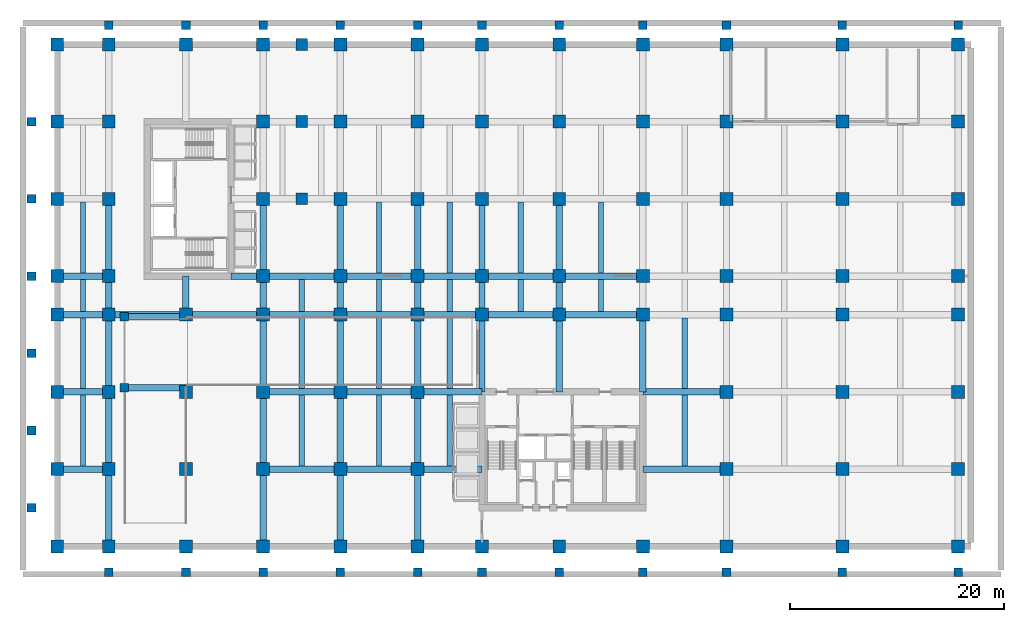
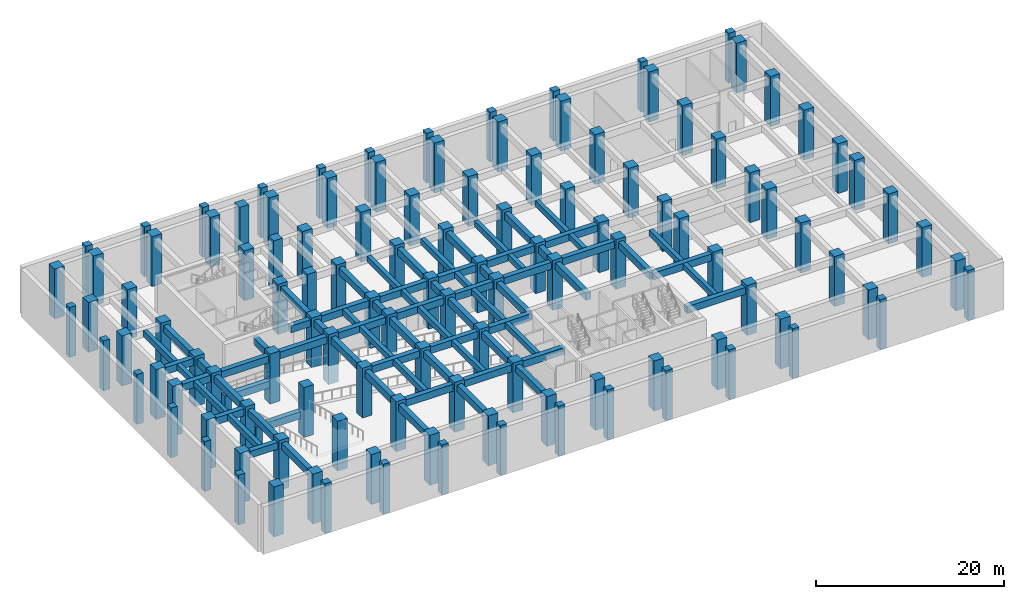
# One storey, part 1 of 13: 120 columns, 76 beams.
"""IFC4 building model written with IfcOpenShell, lengths in metres."""

from ifc_helpers import new_model, si_unit, derived_unit, direction, frame, origin, origin_2d, place, context, subcontext, project, spatial, rectangle, extrude, source, transform, mapped, material, material_profile, profile_set, type_object, type_shapes, element, save


model = new_model("IFC4")

# Units and contexts
model_context = context("Model", 3, precision=1e-05, world=origin(), true_north=direction((0.0, 1.0)))
body_context = subcontext(model_context, "Body", "Model", "MODEL_VIEW")
ifc_project = project(units=[si_unit("LENGTHUNIT", "METRE"), si_unit("AREAUNIT", "SQUARE_METRE"), si_unit("VOLUMEUNIT", "CUBIC_METRE"), si_unit("PLANEANGLEUNIT", "RADIAN"), si_unit("MASSUNIT", "GRAM", prefix="KILO"), si_unit("THERMODYNAMICTEMPERATUREUNIT", "KELVIN"), si_unit("POWERUNIT", "WATT"), derived_unit("THERMALTRANSMITTANCEUNIT", [(si_unit("POWERUNIT", "WATT"), 1), (si_unit("AREAUNIT", "SQUARE_METRE"), -1), (si_unit("THERMODYNAMICTEMPERATUREUNIT", "KELVIN"), -1)])], contexts=[model_context])

# Site, building, storey
site_placement = place(None, origin())
site = spatial("IfcSite", under=ifc_project, at=site_placement, CompositionType="ELEMENT")
building_placement = place(site_placement, origin())
building = spatial("IfcBuilding", under=site, at=building_placement, Name="Zahravan Archway Hotel and Residences", CompositionType="ELEMENT")
storey_placement = place(building_placement, frame((0.0, 0.0, -6.5)))
storey = spatial("IfcBuildingStorey", under=building, at=storey_placement, Name="B01", CompositionType="ELEMENT", Elevation=-6.5)

# Columns
ifc_material_1 = material(Name="Concrete C70/85", Category="concrete")
ifc_material_profile_1 = material_profile(ifc_material_1, rectangle(XDim=1.199951171875, YDim=1.199951171875, at=origin_2d()), Name="RC-COL-1200x1200", Category="concrete")
ifc_profile_set_1 = profile_set([ifc_material_profile_1], Name="Concrete C70/85")
column_type_1 = type_object("IfcColumnType", Name="COL-RC-1200", PredefinedType="COLUMN", material=ifc_profile_set_1)
shared_shape_1 = source(origin(), body_context, "Body", "SweptSolid", [
    extrude(rectangle(XDim=1.199951171875, YDim=1.199951171875, at=origin_2d()), origin(), (0.0, 0.0, 1.0), 6.5),
])
for number, where, z_axis, x_axis, name in (
    (1, (-4.800048828125, 0.0, 0.0), (0.0, 0.0, 1.0), (1.0, 0.0, 0.0), "B01 Column 0-A"),
    (2, (-4.800048828125, 7.199951171875, 0.0), (0.0, 0.0, 1.0), (1.0, 0.0, 0.0), "B01 Column 0-B"),
    (3, (-4.800048828125, 14.39990234375, 0.0), (0.0, 0.0, 1.0), (1.0, 0.0, 0.0), "B01 Column 0-C"),
    (4, (-4.800048828125, 21.60009765625, 0.0), (0.0, 0.0, 1.0), (1.0, 0.0, 0.0), "B01 Column 0-D"),
    (5, (-4.800048828125, 25.199951171875, 0.0), (0.0, 0.0, 1.0), (1.0, 0.0, 0.0), "B01 Column 0-E"),
    (6, (-4.800048828125, 32.39990234375, 0.0), (0.0, 0.0, 1.0), (1.0, 0.0, 0.0), "B01 Column 0-F"),
    (7, (-4.800048828125, 39.60009765625, 0.0), (0.0, 0.0, 1.0), (1.0, 0.0, 0.0), "B01 Column 0-G"),
    (8, (-4.800048828125, 46.800048828125, 0.0), (0.0, 0.0, 1.0), (1.0, 0.0, 0.0), "B01 Column 0-H"),
    (9, (0.0, 0.0, 0.0), (0.0, 0.0, 1.0), (1.0, 0.0, 0.0), "B01 Column 1-A"),
    (10, (0.0, 7.199951171875, 0.0), (0.0, 0.0, 1.0), (1.0, 0.0, 0.0), "B01 Column 1-B"),
    (11, (0.0, 14.39990234375, 0.0), (0.0, 0.0, 1.0), (1.0, 0.0, 0.0), "B01 Column 1-C"),
    (12, (0.0, 21.60009765625, 0.0), (0.0, 0.0, 1.0), (1.0, 0.0, 0.0), "B01 Column 1-D"),
    (13, (0.0, 25.199951171875, 0.0), (0.0, 0.0, 1.0), (1.0, 0.0, 0.0), "B01 Column 1-E"),
    (14, (0.0, 32.39990234375, 0.0), (0.0, 0.0, 1.0), (1.0, 0.0, 0.0), "B01 Column 1-F"),
    (15, (0.0, 39.60009765625, 0.0), (0.0, 0.0, 1.0), (1.0, 0.0, 0.0), "B01 Column 1-G"),
    (16, (0.0, 46.800048828125, 0.0), (0.0, 0.0, 1.0), (1.0, 0.0, 0.0), "B01 Column 1-H"),
    (17, (7.199951171875, 0.0, 0.0), (0.0, 0.0, 1.0), (1.0, 0.0, 0.0), "B01 Column 2-A"),
    (18, (7.199951171875, 7.199951171875, 0.0), (0.0, 0.0, 1.0), (1.0, 0.0, 0.0), "B01 Column 2-B"),
    (19, (7.199951171875, 14.39990234375, 0.0), (0.0, 0.0, 1.0), (1.0, 0.0, 0.0), "B01 Column 2-C"),
    (20, (7.199951171875, 21.60009765625, 0.0), (0.0, 0.0, 1.0), (1.0, 0.0, 0.0), "B01 Column 2-D"),
    (21, (7.199951171875, 46.800048828125, 0.0), (0.0, 0.0, 1.0), (1.0, 0.0, 0.0), "B01 Column 2-H"),
    (22, (14.39990234375, 0.0, 0.0), (0.0, 0.0, 1.0), (1.0, 0.0, 0.0), "B01 Column 3-A"),
    (23, (14.39990234375, 7.199951171875, 0.0), (0.0, 0.0, 1.0), (1.0, 0.0, 0.0), "B01 Column 3-B"),
    (24, (14.39990234375, 14.39990234375, 0.0), (0.0, 0.0, 1.0), (1.0, 0.0, 0.0), "B01 Column 3-C"),
    (25, (14.39990234375, 21.60009765625, 0.0), (0.0, 0.0, 1.0), (1.0, 0.0, 0.0), "B01 Column 3-D"),
    (26, (14.39990234375, 25.199951171875, 0.0), (0.0, 0.0, 1.0), (1.0, 0.0, 0.0), "B01 Column 3-E"),
    (27, (14.39990234375, 32.39990234375, 0.0), (0.0, 0.0, 1.0), (1.0, 0.0, 0.0), "B01 Column 3-F"),
    (28, (14.39990234375, 39.60009765625, 0.0), (0.0, 0.0, 1.0), (1.0, 0.0, 0.0), "B01 Column 3-G"),
    (29, (14.39990234375, 46.800048828125, 0.0), (0.0, 0.0, 1.0), (1.0, 0.0, 0.0), "B01 Column 3-H"),
    (30, (21.60009765625, 0.0, 0.0), (0.0, 0.0, 1.0), (1.0, 0.0, 0.0), "B01 Column 4-A"),
    (31, (21.60009765625, 7.199951171875, 0.0), (0.0, 0.0, 1.0), (1.0, 0.0, 0.0), "B01 Column 4-B"),
    (32, (21.60009765625, 14.39990234375, 0.0), (0.0, 0.0, 1.0), (1.0, 0.0, 0.0), "B01 Column 4-C"),
    (33, (21.60009765625, 21.60009765625, 0.0), (0.0, 0.0, 1.0), (1.0, 0.0, 0.0), "B01 Column 4-D"),
    (34, (21.60009765625, 25.199951171875, 0.0), (0.0, 0.0, 1.0), (1.0, 0.0, 0.0), "B01 Column 4-E"),
    (35, (21.60009765625, 32.39990234375, 0.0), (0.0, 0.0, 1.0), (1.0, 0.0, 0.0), "B01 Column 4-F"),
    (36, (21.60009765625, 39.60009765625, 0.0), (0.0, 0.0, 1.0), (1.0, 0.0, 0.0), "B01 Column 4-G"),
    (37, (21.60009765625, 46.800048828125, 0.0), (0.0, 0.0, 1.0), (1.0, 0.0, 0.0), "B01 Column 4-H"),
    (38, (28.800048828125, 0.0, 0.0), (0.0, 0.0, 1.0), (1.0, 0.0, 0.0), "B01 Column 5-A"),
    (39, (28.800048828125, 7.199951171875, 0.0), (0.0, 0.0, 1.0), (1.0, 0.0, 0.0), "B01 Column 5-B"),
    (40, (28.800048828125, 14.39990234375, 0.0), (0.0, 0.0, 1.0), (1.0, 0.0, 0.0), "B01 Column 5-C"),
    (41, (28.800048828125, 21.60009765625, 0.0), (0.0, 0.0, 1.0), (1.0, 0.0, 0.0), "B01 Column 5-D"),
    (42, (28.800048828125, 25.199951171875, 0.0), (0.0, 0.0, 1.0), (1.0, 0.0, 0.0), "B01 Column 5-E"),
    (43, (28.800048828125, 32.39990234375, 0.0), (0.0, 0.0, 1.0), (1.0, 0.0, 0.0), "B01 Column 5-F"),
    (44, (28.800048828125, 39.60009765625, 0.0), (0.0, 0.0, 1.0), (1.0, 0.0, 0.0), "B01 Column 5-G"),
    (45, (28.800048828125, 46.800048828125, 0.0), (0.0, 0.0, 1.0), (1.0, 0.0, 0.0), "B01 Column 5-H"),
    (46, (34.800048828125, 0.0, 0.0), (0.0, 0.0, 1.0), (1.0, 0.0, 0.0), "B01 Column 6-A"),
    (47, (34.800048828125, 21.60009765625, 0.0), (0.0, 0.0, 1.0), (1.0, 0.0, 0.0), "B01 Column 6-D"),
    (48, (34.800048828125, 25.199951171875, 0.0), (0.0, 0.0, 1.0), (1.0, 0.0, 0.0), "B01 Column 6-E"),
    (49, (34.800048828125, 32.39990234375, 0.0), (0.0, 0.0, 1.0), (1.0, 0.0, 0.0), "B01 Column 6-F"),
    (50, (34.800048828125, 39.60009765625, 0.0), (0.0, 0.0, 1.0), (1.0, 0.0, 0.0), "B01 Column 6-G"),
    (51, (34.800048828125, 46.800048828125, 0.0), (0.0, 0.0, 1.0), (1.0, 0.0, 0.0), "B01 Column 6-H"),
    (52, (42.0, 0.0, 0.0), (0.0, 0.0, 1.0), (1.0, 0.0, 0.0), "B01 Column 7-A"),
    (53, (42.0, 21.60009765625, 0.0), (0.0, 0.0, 1.0), (1.0, 0.0, 0.0), "B01 Column 7-D"),
    (54, (42.0, 25.199951171875, 0.0), (0.0, 0.0, 1.0), (1.0, 0.0, 0.0), "B01 Column 7-E"),
    (55, (42.0, 32.39990234375, 0.0), (0.0, 0.0, 1.0), (1.0, 0.0, 0.0), "B01 Column 7-F"),
    (56, (42.0, 39.60009765625, 0.0), (0.0, 0.0, 1.0), (1.0, 0.0, 0.0), "B01 Column 7-G"),
    (57, (42.0, 46.800048828125, 0.0), (0.0, 0.0, 1.0), (1.0, 0.0, 0.0), "B01 Column 7-H"),
    (58, (49.800048828125, 0.0, 0.0), (0.0, 0.0, 1.0), (1.0, 0.0, 0.0), "B01 Column 8-A"),
    (59, (49.800048828125, 21.60009765625, 0.0), (0.0, 0.0, 1.0), (1.0, 0.0, 0.0), "B01 Column 8-D"),
    (60, (49.800048828125, 25.199951171875, 0.0), (0.0, 0.0, 1.0), (1.0, 0.0, 0.0), "B01 Column 8-E"),
    (61, (49.800048828125, 32.39990234375, 0.0), (0.0, 0.0, 1.0), (1.0, 0.0, 0.0), "B01 Column 8-F"),
    (62, (49.800048828125, 39.60009765625, 0.0), (0.0, 0.0, 1.0), (1.0, 0.0, 0.0), "B01 Column 8-G"),
    (63, (49.800048828125, 46.800048828125, 0.0), (0.0, 0.0, 1.0), (1.0, 0.0, 0.0), "B01 Column 8-H"),
    (64, (57.60009765625, 0.0, 0.0), (0.0, 0.0, 1.0), (1.0, 0.0, 0.0), "B01 Column 9-A"),
    (65, (57.60009765625, 7.199951171875, 0.0), (0.0, 0.0, 1.0), (1.0, 0.0, 0.0), "B01 Column 9-B"),
    (66, (57.60009765625, 14.39990234375, 0.0), (0.0, 0.0, 1.0), (1.0, 0.0, 0.0), "B01 Column 9-C"),
    (67, (57.60009765625, 21.60009765625, 0.0), (0.0, 0.0, 1.0), (1.0, 0.0, 0.0), "B01 Column 9-D"),
    (68, (57.60009765625, 25.199951171875, 0.0), (0.0, 0.0, 1.0), (1.0, 0.0, 0.0), "B01 Column 9-E"),
    (69, (57.60009765625, 32.39990234375, 0.0), (0.0, 0.0, 1.0), (1.0, 0.0, 0.0), "B01 Column 9-F"),
    (70, (57.60009765625, 39.60009765625, 0.0), (0.0, 0.0, 1.0), (1.0, 0.0, 0.0), "B01 Column 9-G"),
    (71, (57.60009765625, 46.800048828125, 0.0), (0.0, 0.0, 1.0), (1.0, 0.0, 0.0), "B01 Column 9-H"),
    (72, (68.39990234375, 0.0, 0.0), (0.0, 0.0, 1.0), (1.0, 0.0, 0.0), "B01 Column 10-A"),
    (73, (68.39990234375, 7.199951171875, 0.0), (0.0, 0.0, 1.0), (1.0, 0.0, 0.0), "B01 Column 10-B"),
    (74, (68.39990234375, 14.39990234375, 0.0), (0.0, 0.0, 1.0), (1.0, 0.0, 0.0), "B01 Column 10-C"),
    (75, (68.39990234375, 21.60009765625, 0.0), (0.0, 0.0, 1.0), (1.0, 0.0, 0.0), "B01 Column 10-D"),
    (76, (68.39990234375, 25.199951171875, 0.0), (0.0, 0.0, 1.0), (1.0, 0.0, 0.0), "B01 Column 10-E"),
    (77, (68.39990234375, 32.39990234375, 0.0), (0.0, 0.0, 1.0), (1.0, 0.0, 0.0), "B01 Column 10-F"),
    (78, (68.39990234375, 39.60009765625, 0.0), (0.0, 0.0, 1.0), (1.0, 0.0, 0.0), "B01 Column 10-G"),
    (79, (68.39990234375, 46.800048828125, 0.0), (0.0, 0.0, 1.0), (1.0, 0.0, 0.0), "B01 Column 10-H"),
    (80, (79.199951171875, 0.0, 0.0), (0.0, 0.0, 1.0), (1.0, 0.0, 0.0), "B01 Column 11-A"),
    (81, (79.199951171875, 7.199951171875, 0.0), (0.0, 0.0, 1.0), (1.0, 0.0, 0.0), "B01 Column 11-B"),
    (82, (79.199951171875, 14.39990234375, 0.0), (0.0, 0.0, 1.0), (1.0, 0.0, 0.0), "B01 Column 11-C"),
    (83, (79.199951171875, 21.60009765625, 0.0), (0.0, 0.0, 1.0), (1.0, 0.0, 0.0), "B01 Column 11-D"),
    (84, (79.199951171875, 25.199951171875, 0.0), (0.0, 0.0, 1.0), (1.0, 0.0, 0.0), "B01 Column 11-E"),
    (85, (79.199951171875, 32.39990234375, 0.0), (0.0, 0.0, 1.0), (1.0, 0.0, 0.0), "B01 Column 11-F"),
    (86, (79.199951171875, 39.60009765625, 0.0), (0.0, 0.0, 1.0), (1.0, 0.0, 0.0), "B01 Column 11-G"),
    (87, (79.199951171875, 46.800048828125, 0.0), (0.0, 0.0, 1.0), (1.0, 0.0, 0.0), "B01 Column 11-H"),
):
    element("IfcColumn", number, at=place(storey_placement, frame(where, z_axis=z_axis, x_axis=x_axis)), inside=storey, type_object=column_type_1, Name=name, PredefinedType="COLUMN", context=body_context, shape_type="MappedRepresentation", body=[
        mapped(shared_shape_1, transform((0.0, 0.0, 0.0), scale=1.0)),
    ])
ifc_material_2 = material(Name="Concrete C50/60", Category="concrete")
ifc_material_profile_2 = material_profile(ifc_material_2, rectangle(XDim=0.800048828125, YDim=0.800048828125, at=origin_2d()), Name="RC-COL-800x800", Category="concrete")
ifc_profile_set_2 = profile_set([ifc_material_profile_2], Name="Concrete C50/60")
column_type_2 = type_object("IfcColumnType", Name="COL-RC-800", PredefinedType="COLUMN", material=ifc_profile_set_2)
shared_shape_2 = source(origin(), body_context, "Body", "SweptSolid", [
    extrude(rectangle(XDim=0.800048828125, YDim=0.800048828125, at=origin_2d()), origin(), (0.0, 0.0, 1.0), 6.5),
])
for number, where, z_axis, x_axis, name in (
    (88, (-7.199951171875, 3.60009765625, 0.0), (0.0, 0.0, 1.0), (1.0, 0.0, 0.0), "B01 Column WCOL-1"),
    (89, (-7.199951171875, 10.800048828125, 0.0), (0.0, 0.0, 1.0), (1.0, 0.0, 0.0), "B01 Column WCOL-2"),
    (90, (-7.199951171875, 18.0, 0.0), (0.0, 0.0, 1.0), (1.0, 0.0, 0.0), "B01 Column WCOL-3"),
    (91, (-7.199951171875, 25.199951171875, 0.0), (0.0, 0.0, 1.0), (1.0, 0.0, 0.0), "B01 Column WCOL-4"),
    (92, (-7.199951171875, 32.39990234375, 0.0), (0.0, 0.0, 1.0), (1.0, 0.0, 0.0), "B01 Column WCOL-5"),
    (93, (-7.199951171875, 39.60009765625, 0.0), (0.0, 0.0, 1.0), (1.0, 0.0, 0.0), "B01 Column WCOL-6"),
    (94, (0.0, -2.39990234375, 0.0), (0.0, 0.0, 1.0), (1.0, 0.0, 0.0), "B01 Column SCOL-1"),
    (95, (0.0, 48.60009765625, 0.0), (0.0, 0.0, 1.0), (1.0, 0.0, 0.0), "B01 Column NCOL-1"),
    (96, (7.199951171875, -2.39990234375, 0.0), (0.0, 0.0, 1.0), (1.0, 0.0, 0.0), "B01 Column SCOL-2"),
    (97, (7.199951171875, 48.60009765625, 0.0), (0.0, 0.0, 1.0), (1.0, 0.0, 0.0), "B01 Column NCOL-2"),
    (98, (14.39990234375, -2.39990234375, 0.0), (0.0, 0.0, 1.0), (1.0, 0.0, 0.0), "B01 Column SCOL-3"),
    (99, (14.39990234375, 48.60009765625, 0.0), (0.0, 0.0, 1.0), (1.0, 0.0, 0.0), "B01 Column NCOL-3"),
    (100, (21.60009765625, -2.39990234375, 0.0), (0.0, 0.0, 1.0), (1.0, 0.0, 0.0), "B01 Column SCOL-4"),
    (101, (21.60009765625, 48.60009765625, 0.0), (0.0, 0.0, 1.0), (1.0, 0.0, 0.0), "B01 Column NCOL-4"),
    (102, (28.800048828125, -2.39990234375, 0.0), (0.0, 0.0, 1.0), (1.0, 0.0, 0.0), "B01 Column SCOL-5"),
    (103, (28.800048828125, 48.60009765625, 0.0), (0.0, 0.0, 1.0), (1.0, 0.0, 0.0), "B01 Column NCOL-5"),
    (104, (34.800048828125, -2.39990234375, 0.0), (0.0, 0.0, 1.0), (1.0, 0.0, 0.0), "B01 Column SCOL-6"),
    (105, (34.800048828125, 48.60009765625, 0.0), (0.0, 0.0, 1.0), (1.0, 0.0, 0.0), "B01 Column NCOL-6"),
    (106, (42.0, -2.39990234375, 0.0), (0.0, 0.0, 1.0), (1.0, 0.0, 0.0), "B01 Column SCOL-7"),
    (107, (42.0, 48.60009765625, 0.0), (0.0, 0.0, 1.0), (1.0, 0.0, 0.0), "B01 Column NCOL-7"),
    (108, (49.800048828125, -2.39990234375, 0.0), (0.0, 0.0, 1.0), (1.0, 0.0, 0.0), "B01 Column SCOL-8"),
    (109, (49.800048828125, 48.60009765625, 0.0), (0.0, 0.0, 1.0), (1.0, 0.0, 0.0), "B01 Column NCOL-8"),
    (110, (57.60009765625, -2.39990234375, 0.0), (0.0, 0.0, 1.0), (1.0, 0.0, 0.0), "B01 Column SCOL-9"),
    (111, (57.60009765625, 48.60009765625, 0.0), (0.0, 0.0, 1.0), (1.0, 0.0, 0.0), "B01 Column NCOL-9"),
    (112, (68.39990234375, -2.39990234375, 0.0), (0.0, 0.0, 1.0), (1.0, 0.0, 0.0), "B01 Column SCOL-10"),
    (113, (68.39990234375, 48.60009765625, 0.0), (0.0, 0.0, 1.0), (1.0, 0.0, 0.0), "B01 Column NCOL-10"),
    (114, (79.199951171875, -2.39990234375, 0.0), (0.0, 0.0, 1.0), (1.0, 0.0, 0.0), "B01 Column SCOL-11"),
    (115, (79.199951171875, 48.60009765625, 0.0), (0.0, 0.0, 1.0), (1.0, 0.0, 0.0), "B01 Column NCOL-11"),
):
    element("IfcColumn", number, at=place(storey_placement, frame(where, z_axis=z_axis, x_axis=x_axis)), inside=storey, type_object=column_type_2, Name=name, PredefinedType="COLUMN", context=body_context, shape_type="MappedRepresentation", body=[
        mapped(shared_shape_2, transform((0.0, 0.0, 0.0), scale=1.0)),
    ])
ifc_material_profile_3 = material_profile(ifc_material_1, rectangle(XDim=1.10009765625, YDim=1.10009765625, at=origin_2d()), Name="RC 1100x1100", Category="concrete")
ifc_profile_set_3 = profile_set([ifc_material_profile_3], Name="Concrete C70/85")
column_type_3 = type_object("IfcColumnType", Name="COL-RC-1100", PredefinedType="COLUMN", material=ifc_profile_set_3)
shared_shape_3 = source(origin(), body_context, "Body", "SweptSolid", [
    extrude(rectangle(XDim=1.10009765625, YDim=1.10009765625, at=origin_2d()), origin(), (0.0, 0.0, 1.0), 6.5),
])
for number, where, z_axis, x_axis, name in (
    (116, (18.0, 32.39990234375, 0.0), (0.0, 0.0, 1.0), (1.0, 0.0, 0.0), "B01 Column 3B-F"),
    (117, (18.0, 39.60009765625, 0.0), (0.0, 0.0, 1.0), (1.0, 0.0, 0.0), "B01 Column 3B-G"),
    (118, (18.0, 46.800048828125, 0.0), (0.0, 0.0, 1.0), (1.0, 0.0, 0.0), "B01 Column 3B-H"),
):
    element("IfcColumn", number, at=place(storey_placement, frame(where, z_axis=z_axis, x_axis=x_axis)), inside=storey, type_object=column_type_3, Name=name, PredefinedType="COLUMN", context=body_context, shape_type="MappedRepresentation", body=[
        mapped(shared_shape_3, transform((0.0, 0.0, 0.0), scale=1.0)),
    ])
shared_shape_4 = source(origin(), body_context, "Body", "SweptSolid", [
    extrude(rectangle(XDim=0.800048828125, YDim=0.800048828125, at=origin_2d()), origin(), (0.0, 0.0, 1.0), 2.949951171875),
])
for number, where, z_axis, x_axis, name in (
    (119, (1.449951171875, 14.800048828125, 0.0), (0.0, 0.0, 1.0), (1.0, 0.0, 0.0), "B01 Vehicle Ramp Half-Landing Column 1"),
    (120, (1.449951171875, 21.39990234375, 0.0), (0.0, 0.0, 1.0), (1.0, 0.0, 0.0), "B01 Vehicle Ramp Half-Landing Column 2"),
):
    element("IfcColumn", number, at=place(storey_placement, frame(where, z_axis=z_axis, x_axis=x_axis)), inside=storey, type_object=column_type_2, Name=name, PredefinedType="COLUMN", context=body_context, shape_type="MappedRepresentation", body=[
        mapped(shared_shape_4, transform((0.0, 0.0, 0.0), scale=1.0)),
    ])

# Beams
ifc_material_profile_4 = material_profile(ifc_material_2, rectangle(XDim=0.60009765625, YDim=0.89990234375, at=origin_2d()), Name="RC-BM-600x900", Category="concrete")
ifc_profile_set_4 = profile_set([ifc_material_profile_4], Name="Concrete C50/60")
beam_type_1 = type_object("IfcBeamType", Name="BM-RC-600x900", PredefinedType="BEAM", material=ifc_profile_set_4)
shared_shape_5 = source(origin(), body_context, "Body", "SweptSolid", [
    extrude(rectangle(XDim=0.60009765625, YDim=0.89990234375, at=origin_2d()), origin(), (0.0, 0.0, 1.0), 4.800048828125),
])
type_shapes(beam_type_1, [shared_shape_5])
for number, where, z_axis, x_axis, name in (
    (121, (-4.800048828125, 7.199951171875, 5.64990234375), (1.0, 0.0, 0.0), (0.0, 1.0, 0.0), "B01 Primary Girder EW-01"),
    (122, (-4.800048828125, 14.39990234375, 5.64990234375), (1.0, 0.0, 0.0), (0.0, 1.0, 0.0), "B01 Primary Girder EW-08"),
    (123, (-4.800048828125, 21.60009765625, 5.64990234375), (1.0, 0.0, 0.0), (0.0, 1.0, 0.0), "B01 Primary Girder EW-15"),
    (124, (-4.800048828125, 25.199951171875, 5.64990234375), (1.0, 0.0, 0.0), (0.0, 1.0, 0.0), "B01 Primary Girder EW-26"),
):
    element("IfcBeam", number, at=place(storey_placement, frame(where, z_axis=z_axis, x_axis=x_axis)), inside=storey, type_object=beam_type_1, Name=name, PredefinedType="BEAM", context=body_context, shape_type="MappedRepresentation", body=[
        mapped(shared_shape_5, transform((0.0, 0.0, 0.0), scale=1.0)),
    ])
shared_shape_6 = source(origin(), body_context, "Body", "SweptSolid", [
    extrude(rectangle(XDim=0.60009765625, YDim=0.89990234375, at=origin_2d()), origin(), (0.0, 0.0, 1.0), 7.199951171875),
])
for number, where, z_axis, x_axis, name in (
    (125, (21.60009765625, 7.199951171875, 5.64990234375), (1.0, 0.0, 0.0), (0.0, 1.0, 0.0), "B01 Primary Girder EW-03"),
    (126, (21.60009765625, 14.39990234375, 5.64990234375), (1.0, 0.0, 0.0), (0.0, 1.0, 0.0), "B01 Primary Girder EW-10"),
    (127, (0.0, 21.60009765625, 5.64990234375), (1.0, 0.0, 0.0), (0.0, 1.0, 0.0), "B01 Primary Girder EW-16"),
    (128, (7.199951171875, 21.60009765625, 5.64990234375), (1.0, 0.0, 0.0), (0.0, 1.0, 0.0), "B01 Primary Girder EW-17"),
    (129, (21.60009765625, 21.60009765625, 5.64990234375), (1.0, 0.0, 0.0), (0.0, 1.0, 0.0), "B01 Primary Girder EW-19"),
    (130, (34.800048828125, 21.60009765625, 5.64990234375), (1.0, 0.0, 0.0), (0.0, 1.0, 0.0), "B01 Primary Girder EW-21"),
    (131, (21.60009765625, 25.199951171875, 5.64990234375), (1.0, 0.0, 0.0), (0.0, 1.0, 0.0), "B01 Primary Girder EW-29"),
    (132, (34.800048828125, 25.199951171875, 5.64990234375), (1.0, 0.0, 0.0), (0.0, 1.0, 0.0), "B01 Primary Girder EW-31"),
    (133, (0.0, 0.0, 5.64990234375), (0.0, 1.0, 0.0), (-1.0, 0.0, 0.0), "B01 Primary Girder NS-58"),
    (134, (0.0, 7.199951171875, 5.64990234375), (0.0, 1.0, 0.0), (-1.0, 0.0, 0.0), "B01 Primary Girder NS-59"),
    (135, (0.0, 25.199951171875, 5.64990234375), (0.0, 1.0, 0.0), (-1.0, 0.0, 0.0), "B01 Primary Girder NS-62"),
    (136, (14.39990234375, 0.0, 5.64990234375), (0.0, 1.0, 0.0), (-1.0, 0.0, 0.0), "B01 Primary Girder NS-67"),
    (137, (14.39990234375, 7.199951171875, 5.64990234375), (0.0, 1.0, 0.0), (-1.0, 0.0, 0.0), "B01 Primary Girder NS-68"),
    (138, (14.39990234375, 25.199951171875, 5.64990234375), (0.0, 1.0, 0.0), (-1.0, 0.0, 0.0), "B01 Primary Girder NS-71"),
    (139, (21.60009765625, 0.0, 5.64990234375), (0.0, 1.0, 0.0), (-1.0, 0.0, 0.0), "B01 Primary Girder NS-74"),
    (140, (21.60009765625, 7.199951171875, 5.64990234375), (0.0, 1.0, 0.0), (-1.0, 0.0, 0.0), "B01 Primary Girder NS-75"),
    (141, (21.60009765625, 25.199951171875, 5.64990234375), (0.0, 1.0, 0.0), (-1.0, 0.0, 0.0), "B01 Primary Girder NS-78"),
    (142, (28.800048828125, 0.0, 5.64990234375), (0.0, 1.0, 0.0), (-1.0, 0.0, 0.0), "B01 Primary Girder NS-81"),
    (143, (28.800048828125, 7.199951171875, 5.64990234375), (0.0, 1.0, 0.0), (-1.0, 0.0, 0.0), "B01 Primary Girder NS-82"),
    (144, (28.800048828125, 25.199951171875, 5.64990234375), (0.0, 1.0, 0.0), (-1.0, 0.0, 0.0), "B01 Primary Girder NS-85"),
    (145, (34.800048828125, 25.199951171875, 5.64990234375), (0.0, 1.0, 0.0), (-1.0, 0.0, 0.0), "B01 Primary Girder NS-90"),
    (146, (42.0, 25.199951171875, 5.64990234375), (0.0, 1.0, 0.0), (-1.0, 0.0, 0.0), "B01 Primary Girder NS-95"),
):
    element("IfcBeam", number, at=place(storey_placement, frame(where, z_axis=z_axis, x_axis=x_axis)), inside=storey, type_object=beam_type_1, Name=name, PredefinedType="BEAM", context=body_context, shape_type="MappedRepresentation", body=[
        mapped(shared_shape_6, transform((0.0, 0.0, 0.0), scale=1.0)),
    ])
shared_shape_7 = source(origin(), body_context, "Body", "SweptSolid", [
    extrude(rectangle(XDim=0.60009765625, YDim=0.89990234375, at=origin_2d()), origin(), (0.0, 0.0, 1.0), 7.2001953125),
])
for number, where, z_axis, x_axis, name in (
    (147, (14.39990234375, 7.199951171875, 5.64990234375), (1.0, 0.0, 0.0), (0.0, 1.0, 0.0), "B01 Primary Girder EW-02"),
    (148, (14.39990234375, 14.39990234375, 5.64990234375), (1.0, 0.0, 0.0), (0.0, 1.0, 0.0), "B01 Primary Girder EW-09"),
    (149, (14.39990234375, 21.60009765625, 5.64990234375), (1.0, 0.0, 0.0), (0.0, 1.0, 0.0), "B01 Primary Girder EW-18"),
    (150, (14.39990234375, 25.199951171875, 5.64990234375), (1.0, 0.0, 0.0), (0.0, 1.0, 0.0), "B01 Primary Girder EW-28"),
    (151, (0.0, 14.39990234375, 5.64990234375), (0.0, 1.0, 0.0), (-1.0, 0.0, 0.0), "B01 Primary Girder NS-60"),
    (152, (14.39990234375, 14.39990234375, 5.64990234375), (0.0, 1.0, 0.0), (-1.0, 0.0, 0.0), "B01 Primary Girder NS-69"),
    (153, (21.60009765625, 14.39990234375, 5.64990234375), (0.0, 1.0, 0.0), (-1.0, 0.0, 0.0), "B01 Primary Girder NS-76"),
    (154, (28.800048828125, 14.39990234375, 5.64990234375), (0.0, 1.0, 0.0), (-1.0, 0.0, 0.0), "B01 Primary Girder NS-83"),
    (155, (34.800048828125, 14.39990234375, 5.64990234375), (0.0, 1.0, 0.0), (-1.0, 0.0, 0.0), "B01 Primary Girder NS-88"),
    (156, (42.0, 14.39990234375, 5.64990234375), (0.0, 1.0, 0.0), (-1.0, 0.0, 0.0), "B01 Primary Girder NS-93"),
    (157, (49.800048828125, 14.39990234375, 5.64990234375), (0.0, 1.0, 0.0), (-1.0, 0.0, 0.0), "B01 Primary Girder NS-98"),
):
    element("IfcBeam", number, at=place(storey_placement, frame(where, z_axis=z_axis, x_axis=x_axis)), inside=storey, type_object=beam_type_1, Name=name, PredefinedType="BEAM", context=body_context, shape_type="MappedRepresentation", body=[
        mapped(shared_shape_7, transform((0.0, 0.0, 0.0), scale=1.0)),
    ])
shared_shape_8 = source(origin(), body_context, "Body", "SweptSolid", [
    extrude(rectangle(XDim=0.60009765625, YDim=0.89990234375, at=origin_2d()), origin(), (0.0, 0.0, 1.0), 6.0),
])
for number, where, z_axis, x_axis, name in (
    (158, (28.800048828125, 7.199951171875, 5.64990234375), (1.0, 0.0, 0.0), (0.0, 1.0, 0.0), "B01 Primary Girder EW-04"),
    (159, (28.800048828125, 14.39990234375, 5.64990234375), (1.0, 0.0, 0.0), (0.0, 1.0, 0.0), "B01 Primary Girder EW-11"),
    (160, (28.800048828125, 21.60009765625, 5.64990234375), (1.0, 0.0, 0.0), (0.0, 1.0, 0.0), "B01 Primary Girder EW-20"),
    (161, (28.800048828125, 25.199951171875, 5.64990234375), (1.0, 0.0, 0.0), (0.0, 1.0, 0.0), "B01 Primary Girder EW-30"),
):
    element("IfcBeam", number, at=place(storey_placement, frame(where, z_axis=z_axis, x_axis=x_axis)), inside=storey, type_object=beam_type_1, Name=name, PredefinedType="BEAM", context=body_context, shape_type="MappedRepresentation", body=[
        mapped(shared_shape_8, transform((0.0, 0.0, 0.0), scale=1.0)),
    ])
shared_shape_9 = source(origin(), body_context, "Body", "SweptSolid", [
    extrude(rectangle(XDim=0.60009765625, YDim=0.89990234375, at=origin_2d()), origin(), (0.0, 0.0, 1.0), 7.800048828125),
])
for number, where, z_axis, x_axis, name in (
    (162, (49.800048828125, 7.199951171875, 5.64990234375), (1.0, 0.0, 0.0), (0.0, 1.0, 0.0), "B01 Primary Girder EW-05"),
    (163, (49.800048828125, 14.39990234375, 5.64990234375), (1.0, 0.0, 0.0), (0.0, 1.0, 0.0), "B01 Primary Girder EW-12"),
    (164, (42.0, 21.60009765625, 5.64990234375), (1.0, 0.0, 0.0), (0.0, 1.0, 0.0), "B01 Primary Girder EW-22"),
    (165, (42.0, 25.199951171875, 5.64990234375), (1.0, 0.0, 0.0), (0.0, 1.0, 0.0), "B01 Primary Girder EW-32"),
):
    element("IfcBeam", number, at=place(storey_placement, frame(where, z_axis=z_axis, x_axis=x_axis)), inside=storey, type_object=beam_type_1, Name=name, PredefinedType="BEAM", context=body_context, shape_type="MappedRepresentation", body=[
        mapped(shared_shape_9, transform((0.0, 0.0, 0.0), scale=1.0)),
    ])
shared_shape_10 = source(origin(), body_context, "Body", "SweptSolid", [
    extrude(rectangle(XDim=0.60009765625, YDim=0.89990234375, at=origin_2d()), origin(), (0.0, 0.0, 1.0), 3.0),
])
beam_placement = place(storey_placement, frame((11.39990234375, 25.199951171875, 5.64990234375), z_axis=(1.0, 0.0, 0.0), x_axis=(0.0, 1.0, 0.0)))
element("IfcBeam", 166, at=beam_placement, inside=storey, type_object=beam_type_1, Name="B01 Primary Girder EW-27", PredefinedType="BEAM", context=body_context, shape_type="MappedRepresentation", body=[
    mapped(shared_shape_10, transform((0.0, 0.0, 0.0), scale=1.0)),
])
shared_shape_11 = source(origin(), body_context, "Body", "SweptSolid", [
    extrude(rectangle(XDim=0.60009765625, YDim=0.89990234375, at=origin_2d()), origin(), (0.0, 0.0, 1.0), 3.599853515625),
])
for number, where, z_axis, x_axis, name in (
    (167, (0.0, 21.60009765625, 5.64990234375), (0.0, 1.0, 0.0), (-1.0, 0.0, 0.0), "B01 Primary Girder NS-61"),
    (168, (7.199951171875, 21.60009765625, 5.64990234375), (0.0, 1.0, 0.0), (-1.0, 0.0, 0.0), "B01 Primary Girder NS-65"),
    (169, (14.39990234375, 21.60009765625, 5.64990234375), (0.0, 1.0, 0.0), (-1.0, 0.0, 0.0), "B01 Primary Girder NS-70"),
    (170, (21.60009765625, 21.60009765625, 5.64990234375), (0.0, 1.0, 0.0), (-1.0, 0.0, 0.0), "B01 Primary Girder NS-77"),
    (171, (28.800048828125, 21.60009765625, 5.64990234375), (0.0, 1.0, 0.0), (-1.0, 0.0, 0.0), "B01 Primary Girder NS-84"),
    (172, (34.800048828125, 21.60009765625, 5.64990234375), (0.0, 1.0, 0.0), (-1.0, 0.0, 0.0), "B01 Primary Girder NS-89"),
    (173, (42.0, 21.60009765625, 5.64990234375), (0.0, 1.0, 0.0), (-1.0, 0.0, 0.0), "B01 Primary Girder NS-94"),
):
    element("IfcBeam", number, at=place(storey_placement, frame(where, z_axis=z_axis, x_axis=x_axis)), inside=storey, type_object=beam_type_1, Name=name, PredefinedType="BEAM", context=body_context, shape_type="MappedRepresentation", body=[
        mapped(shared_shape_11, transform((0.0, 0.0, 0.0), scale=1.0)),
    ])
ifc_material_profile_5 = material_profile(ifc_material_2, rectangle(XDim=0.5, YDim=0.75, at=origin_2d()), Name="RC-BM-500x750", Category="concrete")
ifc_profile_set_5 = profile_set([ifc_material_profile_5], Name="Concrete C50/60")
beam_type_2 = type_object("IfcBeamType", Name="BM-RC-500x750", PredefinedType="BEAM", material=ifc_profile_set_5)
shared_shape_12 = source(origin(), body_context, "Body", "SweptSolid", [
    extrude(rectangle(XDim=0.5, YDim=0.75, at=origin_2d()), origin(), (0.0, 0.0, 1.0), 6.60400390625),
])
type_shapes(beam_type_2, [shared_shape_12])
for number, where, z_axis, x_axis, name in (
    (174, (-2.39990234375, 7.498046875, 5.72509765625), (0.0, 1.0, 0.0), (-1.0, 0.0, 0.0), "B01 Composite Floor Joist 01"),
    (175, (18.0, 7.498046875, 5.72509765625), (0.0, 1.0, 0.0), (-1.0, 0.0, 0.0), "B01 Composite Floor Joist 02"),
    (176, (25.199951171875, 7.498046875, 5.72509765625), (0.0, 1.0, 0.0), (-1.0, 0.0, 0.0), "B01 Composite Floor Joist 03"),
    (177, (31.800048828125, 7.498046875, 5.72509765625), (0.0, 1.0, 0.0), (-1.0, 0.0, 0.0), "B01 Composite Floor Joist 04"),
    (178, (53.699951171875, 7.498046875, 5.72509765625), (0.0, 1.0, 0.0), (-1.0, 0.0, 0.0), "B01 Composite Floor Joist 05"),
    (179, (-2.39990234375, 14.697998046875, 5.72509765625), (0.0, 1.0, 0.0), (-1.0, 0.0, 0.0), "B01 Composite Floor Joist 08"),
    (180, (18.0, 14.697998046875, 5.72509765625), (0.0, 1.0, 0.0), (-1.0, 0.0, 0.0), "B01 Composite Floor Joist 09"),
    (181, (25.199951171875, 14.697998046875, 5.72509765625), (0.0, 1.0, 0.0), (-1.0, 0.0, 0.0), "B01 Composite Floor Joist 10"),
    (182, (31.800048828125, 14.697998046875, 5.72509765625), (0.0, 1.0, 0.0), (-1.0, 0.0, 0.0), "B01 Composite Floor Joist 11"),
    (183, (53.699951171875, 14.697998046875, 5.72509765625), (0.0, 1.0, 0.0), (-1.0, 0.0, 0.0), "B01 Composite Floor Joist 12"),
    (184, (-2.39990234375, 25.498046875, 5.72509765625), (0.0, 1.0, 0.0), (-1.0, 0.0, 0.0), "B01 Composite Floor Joist 24"),
    (185, (25.199951171875, 25.498046875, 5.72509765625), (0.0, 1.0, 0.0), (-1.0, 0.0, 0.0), "B01 Composite Floor Joist 25"),
    (186, (31.800048828125, 25.498046875, 5.72509765625), (0.0, 1.0, 0.0), (-1.0, 0.0, 0.0), "B01 Composite Floor Joist 26"),
    (187, (38.39990234375, 25.498046875, 5.72509765625), (0.0, 1.0, 0.0), (-1.0, 0.0, 0.0), "B01 Composite Floor Joist 27"),
    (188, (45.89990234375, 25.498046875, 5.72509765625), (0.0, 1.0, 0.0), (-1.0, 0.0, 0.0), "B01 Composite Floor Joist 28"),
):
    element("IfcBeam", number, at=place(storey_placement, frame(where, z_axis=z_axis, x_axis=x_axis)), inside=storey, type_object=beam_type_2, Name=name, PredefinedType="JOIST", context=body_context, shape_type="MappedRepresentation", body=[
        mapped(shared_shape_12, transform((0.0, 0.0, 0.0), scale=1.0)),
    ])
shared_shape_13 = source(origin(), body_context, "Body", "SweptSolid", [
    extrude(rectangle(XDim=0.5, YDim=0.75, at=origin_2d()), origin(), (0.0, 0.0, 1.0), 3.004150390625),
])
for number, where, z_axis, x_axis, name in (
    (189, (-2.39990234375, 21.89794921875, 5.72509765625), (0.0, 1.0, 0.0), (-1.0, 0.0, 0.0), "B01 Composite Floor Joist 15"),
    (190, (18.0, 21.89794921875, 5.72509765625), (0.0, 1.0, 0.0), (-1.0, 0.0, 0.0), "B01 Composite Floor Joist 16"),
    (191, (25.199951171875, 21.89794921875, 5.72509765625), (0.0, 1.0, 0.0), (-1.0, 0.0, 0.0), "B01 Composite Floor Joist 17"),
    (192, (31.800048828125, 21.89794921875, 5.72509765625), (0.0, 1.0, 0.0), (-1.0, 0.0, 0.0), "B01 Composite Floor Joist 18"),
    (193, (38.39990234375, 21.89794921875, 5.72509765625), (0.0, 1.0, 0.0), (-1.0, 0.0, 0.0), "B01 Composite Floor Joist 19"),
    (194, (45.89990234375, 21.89794921875, 5.72509765625), (0.0, 1.0, 0.0), (-1.0, 0.0, 0.0), "B01 Composite Floor Joist 20"),
):
    element("IfcBeam", number, at=place(storey_placement, frame(where, z_axis=z_axis, x_axis=x_axis)), inside=storey, type_object=beam_type_2, Name=name, PredefinedType="JOIST", context=body_context, shape_type="MappedRepresentation", body=[
        mapped(shared_shape_13, transform((0.0, 0.0, 0.0), scale=1.0)),
    ])
shared_shape_14 = source(origin(), body_context, "Body", "SweptSolid", [
    extrude(rectangle(XDim=0.60009765625, YDim=0.89990234375, at=origin_2d()), origin(), (0.0, 0.0, 1.0), 5.75),
])
for number, where, z_axis, x_axis, name in (
    (195, (1.449951171875, 14.800048828125, 2.5), (1.0, 0.0, 0.0), (0.0, 1.0, 0.0), "B01 Vehicle Ramp Half-Landing Girder 1"),
    (196, (1.449951171875, 21.39990234375, 2.5), (1.0, 0.0, 0.0), (0.0, 1.0, 0.0), "B01 Vehicle Ramp Half-Landing Girder 2"),
):
    element("IfcBeam", number, at=place(storey_placement, frame(where, z_axis=z_axis, x_axis=x_axis)), inside=storey, type_object=beam_type_1, Name=name, PredefinedType="BEAM", context=body_context, shape_type="MappedRepresentation", body=[
        mapped(shared_shape_14, transform((0.0, 0.0, 0.0), scale=1.0)),
    ])

save(model, "model.ifc")
